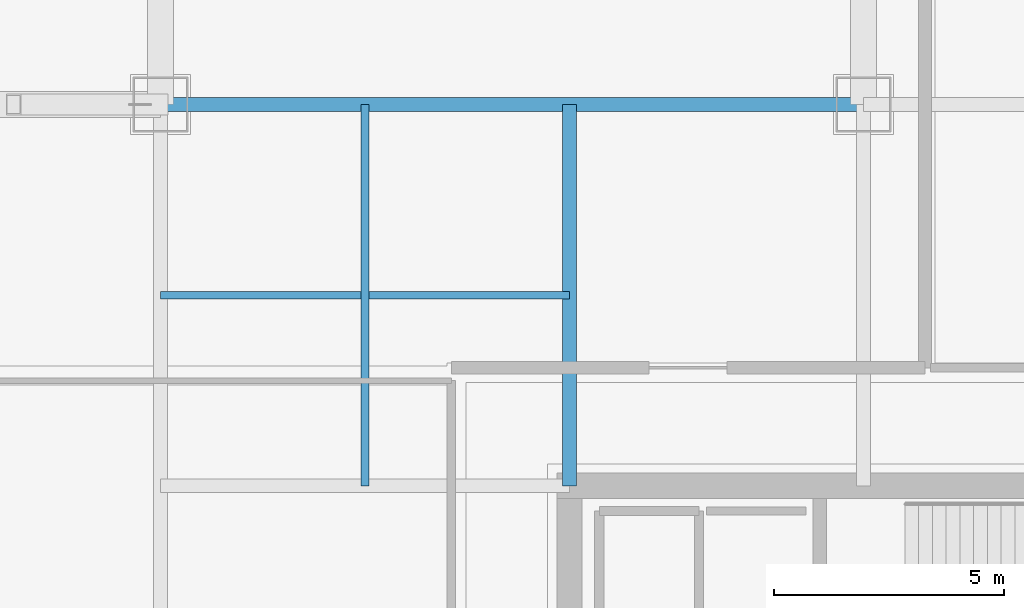
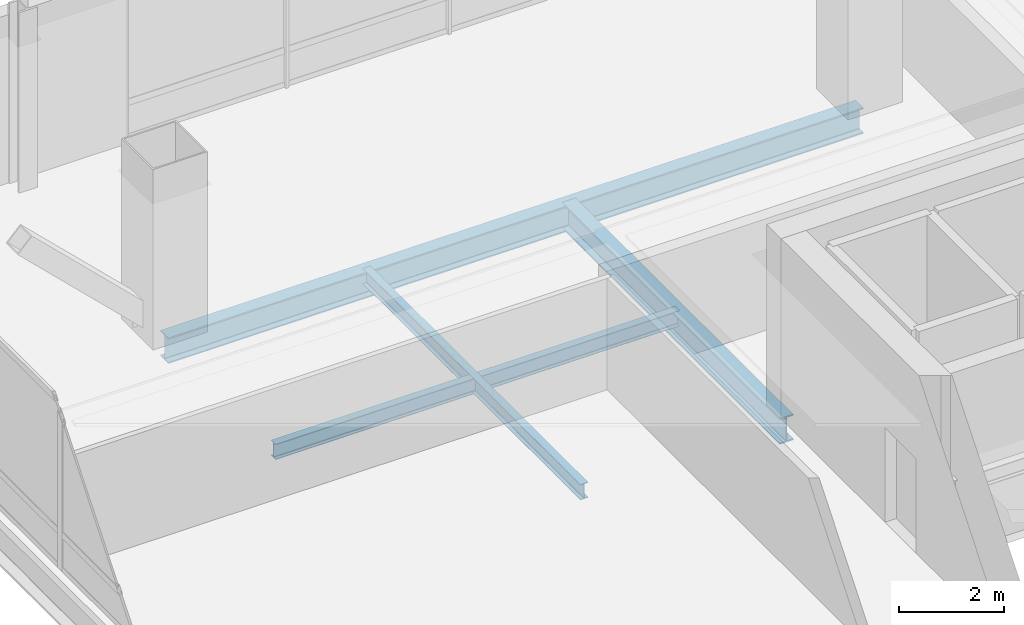
# One storey, part 21 of 51: 4 beams.
"""IFC4 building model written with IfcOpenShell, lengths in metres."""

import ifcopenshell
import ifcopenshell.guid

model = None  # the IFC model being written
_history = None  # IfcOwnerHistory: only IFC2X3 demands one
_inside = {}  # id of a spatial element -> (the spatial element, [elements in it])
_under = {}  # id of a project, library or spatial element -> (it, [spatial elements below it])
_declared = {}  # id of a project -> (the project, [libraries it declares])
_typed = {}  # id of a type object -> (the type object, [elements of that type])
_made_of = {}  # id of a material, layer set ... -> (it, [elements and type objects made of it])


def new_model(schema):
    """Start an empty IFC model of exactly this schema.

    Asked for "IFC4X3", IfcOpenShell would pick the latest addendum, in which some entities
    have other attributes; the version numbers below select the first issue.
    IFC2X3 requires an IfcOwnerHistory on every rooted entity: one is made here for all.
    """
    global model, _history
    if schema == "IFC4X3":
        model = ifcopenshell.file(schema_version=(4, 3, 0, 0))
    else:
        model = ifcopenshell.file(schema=schema)
    _inside.clear()
    _under.clear()
    _declared.clear()
    _typed.clear()
    _made_of.clear()
    _history = None
    if model.schema == "IFC2X3":
        org = make("IfcOrganization", Name="unknown")
        user = make(
            "IfcPersonAndOrganization",
            ThePerson=make("IfcPerson", FamilyName="unknown"),
            TheOrganization=org,
        )
        app = make(
            "IfcApplication",
            ApplicationDeveloper=org,
            Version="unknown",
            ApplicationFullName="unknown",
            ApplicationIdentifier="unknown",
        )
        _history = make(
            "IfcOwnerHistory",
            OwningUser=user,
            OwningApplication=app,
            ChangeAction="ADDED",
            CreationDate=0,
        )
    return model


def make(cls, **values):
    """One entity of the class cls with the attributes given. An attribute that is None is left unset."""
    return model.create_entity(
        cls, **{name: value for name, value in values.items() if value is not None}
    )


def rooted(cls, **values):
    """An entity with a GlobalId (a new one), such as an element, a storey or a relation."""
    return make(cls, GlobalId=ifcopenshell.guid.new(), OwnerHistory=_history, **values)


def si_unit(unit_type, name, prefix=None):
    """IfcSIUnit, for example si_unit("LENGTHUNIT", "METRE", prefix="MILLI")."""
    return make("IfcSIUnit", UnitType=unit_type, Prefix=prefix, Name=name)


def assignment(units):
    """IfcUnitAssignment: the units of a project."""
    return None if units is None else make("IfcUnitAssignment", Units=units)


def point(xyz):
    """IfcCartesianPoint."""
    return None if xyz is None else make("IfcCartesianPoint", Coordinates=xyz)


def direction(xyz):
    """IfcDirection."""
    return None if xyz is None else make("IfcDirection", DirectionRatios=xyz)


def frame(location, z_axis=None, x_axis=None):
    """IfcAxis2Placement3D, a coordinate frame: its origin and axes. An axis left out is left unset."""
    return make(
        "IfcAxis2Placement3D",
        Location=point(location),
        Axis=direction(z_axis),
        RefDirection=direction(x_axis),
    )


def frame_2d(location, x_axis=None):
    """IfcAxis2Placement2D, a coordinate frame in the plane: its origin and x axis."""
    return make(
        "IfcAxis2Placement2D", Location=point(location), RefDirection=direction(x_axis)
    )


def origin():
    """The frame at (0, 0, 0) with its axes left unset."""
    return frame((0.0, 0.0, 0.0))


def origin_2d():
    """The frame at (0, 0) in the plane with its x axis left unset."""
    return frame_2d((0.0, 0.0))


def place(relative_to, where):
    """IfcLocalPlacement: puts the frame where relative to a parent placement (None: the world)."""
    return make(
        "IfcLocalPlacement", PlacementRelTo=relative_to, RelativePlacement=where
    )


def context(
    kind, dimensions, precision=None, world=None, true_north=None, identifier=None
):
    """IfcGeometricRepresentationContext, for example the 3D "Model" context."""
    return make(
        "IfcGeometricRepresentationContext",
        ContextIdentifier=identifier,
        ContextType=kind,
        CoordinateSpaceDimension=dimensions,
        Precision=precision,
        WorldCoordinateSystem=world,
        TrueNorth=true_north,
    )


def subcontext(parent, identifier, kind, view, scale=None):
    """IfcGeometricRepresentationSubContext, for example "Body" below "Model"."""
    return make(
        "IfcGeometricRepresentationSubContext",
        ContextIdentifier=identifier,
        ContextType=kind,
        ParentContext=parent,
        TargetScale=scale,
        TargetView=view,
    )


def project(units=None, contexts=None):
    """IfcProject with its units and contexts."""
    return rooted(
        "IfcProject",
        Name="project",
        RepresentationContexts=contexts,
        UnitsInContext=assignment(units),
    )


def spatial(cls, under=None, at=None, **own):
    """A site, building, storey or space (cls), placed at a placement, below another one or the project."""
    s = rooted(cls, ObjectPlacement=at, **own)
    if under is not None:
        _under.setdefault(under.id(), (under, []))[1].append(s)
    return s


def profile(cls, at=None, kind="AREA", **sizes):
    """A parametric profile (cls). Its sizes go by their IFC names, for example OverallWidth=200.0."""
    return make(cls, ProfileType=kind, Position=at, **sizes)


def i_section(**sizes):
    """IfcIShapeProfileDef."""
    return profile("IfcIShapeProfileDef", **sizes)


def extrude(swept, where, along, depth):
    """IfcExtrudedAreaSolid: the profile swept, set in the frame where, extruded along a direction by depth."""
    return make(
        "IfcExtrudedAreaSolid",
        SweptArea=swept,
        Position=where,
        ExtrudedDirection=direction(along),
        Depth=depth,
    )


def shape(context_of_items, identifier, shape_type, items):
    """IfcShapeRepresentation: the items that make up one representation, for example the "Body"."""
    return make(
        "IfcShapeRepresentation",
        ContextOfItems=context_of_items,
        RepresentationIdentifier=identifier,
        RepresentationType=shape_type,
        Items=items,
    )


def material(Name=None, Category=None):
    """IfcMaterial."""
    return make("IfcMaterial", Name=Name, Category=Category)


def material_profile(
    of_material, cross_section, Name=None, Category=None, Priority=None
):
    """IfcMaterialProfile: a cross section and its material."""
    return make(
        "IfcMaterialProfile",
        Name=Name,
        Material=of_material,
        Profile=cross_section,
        Priority=Priority,
        Category=Category,
    )


def profile_set(profiles, Name=None, composite=None):
    """IfcMaterialProfileSet."""
    return make(
        "IfcMaterialProfileSet",
        Name=Name,
        MaterialProfiles=profiles,
        CompositeProfile=composite,
    )


def made_of(thing, what):
    """Note that an element or type object is made of a material, layer set ...; save() writes the relation."""
    if what is not None:
        _made_of.setdefault(what.id(), (what, []))[1].append(thing)
    return thing


def type_object(cls, material=None, **own):
    """A type object (cls), such as IfcWallType, which elements share."""
    return made_of(rooted(cls, **own), material)


def element(
    cls,
    number,
    at=None,
    inside=None,
    cuts=None,
    type_object=None,
    material=None,
    context=None,
    identifier="Body",
    shape_type=None,
    held_by="IfcProductDefinitionShape",
    body=None,
    shapes=None,
    **own,
):
    """One element of the class cls, such as IfcWall. Its Tag is "e" and its number.

    at: its placement. inside: the storey or other place that contains it. cuts: it is an
    opening in that element (IfcRelVoidsElement). A single representation is given by context,
    identifier, shape_type and body (its items); several are given by shapes. held_by: the class
    of the entity that holds the representations. save() writes the other relations.
    """
    e = rooted(cls, Tag="e%d" % number, ObjectPlacement=at, **own)
    if body is not None:
        shapes = [shape(context, identifier, shape_type, body)]
    if shapes is not None:
        e.Representation = make(held_by, Representations=shapes)
    if inside is not None:
        _inside.setdefault(inside.id(), (inside, []))[1].append(e)
    if cuts is not None:
        rooted(
            "IfcRelVoidsElement", RelatingBuildingElement=cuts, RelatedOpeningElement=e
        )
    if type_object is not None:
        _typed.setdefault(type_object.id(), (type_object, []))[1].append(e)
    return made_of(e, material)


def aggregate(whole, parts):
    """IfcRelAggregates: a whole, such as a stair, and the parts it consists of."""
    return rooted("IfcRelAggregates", RelatingObject=whole, RelatedObjects=parts)


def save(model, path):
    """Write the relations noted so far, then the file.

    IfcRelAggregates (storeys below a building ...), IfcRelContainedInSpatialStructure (elements
    in a storey), IfcRelDefinesByType, IfcRelAssociatesMaterial and IfcRelDeclares: one each for
    every whole, place, type object, material and project.
    """
    for whole, parts in _under.values():
        aggregate(whole, parts)
    for where, things in _inside.values():
        rooted(
            "IfcRelContainedInSpatialStructure",
            RelatedElements=things,
            RelatingStructure=where,
        )
    for kind, things in _typed.values():
        rooted("IfcRelDefinesByType", RelatedObjects=things, RelatingType=kind)
    for what, things in _made_of.values():
        rooted("IfcRelAssociatesMaterial", RelatedObjects=things, RelatingMaterial=what)
    for by, libraries in _declared.values():
        rooted("IfcRelDeclares", RelatingContext=by, RelatedDefinitions=libraries)
    model.write(path)


model = new_model("IFC4")

# Units and contexts
model_context = context("Model", 3, precision=1e-05, world=origin(), true_north=direction((0.0, 1.0)))
body_context = subcontext(model_context, "Body", "Model", "MODEL_VIEW")
ifc_project = project(units=[si_unit("LENGTHUNIT", "METRE"), si_unit("AREAUNIT", "SQUARE_METRE"), si_unit("VOLUMEUNIT", "CUBIC_METRE"), si_unit("PLANEANGLEUNIT", "RADIAN"), si_unit("MASSUNIT", "GRAM", prefix="KILO")], contexts=[model_context])

# Site, building, storey
site_placement = place(None, origin())
site = spatial("IfcSite", under=ifc_project, at=site_placement, CompositionType="ELEMENT")
building_placement = place(site_placement, origin())
building = spatial("IfcBuilding", under=site, at=building_placement, Name="Punatoya Terracotta Tower", CompositionType="ELEMENT")
storey_placement = place(building_placement, frame((0.0, 0.0, 313.199951171875)))
storey = spatial("IfcBuildingStorey", under=building, at=storey_placement, Name="L74", CompositionType="ELEMENT", Elevation=313.199951171875)

# Beams
ifc_material = material(Name="Steel S355", Category="steel")
ifc_material_profile_1 = material_profile(ifc_material, i_section(OverallWidth=0.300048828125, OverallDepth=0.60009765625, WebThickness=0.015380859375, FlangeThickness=0.030029296875, FilletRadius=0.01806640625, at=origin_2d()))
ifc_profile_set_1 = profile_set([ifc_material_profile_1], Name="Steel S355")
beam_type_1 = type_object("IfcBeamType", Name="BM-PRI-600", PredefinedType="BEAM", material=ifc_profile_set_1)
beam_1_placement = place(storey_placement, frame((-19.10009765625, 17.5, -0.5), z_axis=(1.0, 0.0, 0.0), x_axis=(0.0, 1.0, 0.0)))
element("IfcBeam", 1, at=beam_1_placement, inside=storey, type_object=beam_type_1, Name="BM-L74-RG-N1", PredefinedType="BEAM", context=body_context, shape_type="SweptSolid", body=[
    extrude(i_section(OverallWidth=0.300048828125, OverallDepth=0.60009765625, WebThickness=0.015380859375, FlangeThickness=0.030029296875, FilletRadius=0.01806640625, at=origin_2d()), origin(), (0.0, 0.0, 1.0), 15.300048828125),
])
beam_2_placement = place(storey_placement, frame((-10.199951171875, 9.199951171875, -0.5), z_axis=(0.0, 1.0, 0.0), x_axis=(-1.0, 0.0, 0.0)))
element("IfcBeam", 2, at=beam_2_placement, inside=storey, type_object=beam_type_1, Name="BM-L74-PR-N1", PredefinedType="BEAM", context=body_context, shape_type="SweptSolid", body=[
    extrude(i_section(OverallWidth=0.300048828125, OverallDepth=0.60009765625, WebThickness=0.015380859375, FlangeThickness=0.030029296875, FilletRadius=0.01806640625, at=origin_2d()), origin(), (0.0, 0.0, 1.0), 8.300048828125),
])
ifc_material_profile_2 = material_profile(ifc_material, i_section(OverallWidth=0.169921875, OverallDepth=0.360107421875, WebThickness=0.008056640625, FlangeThickness=0.0126953125, FilletRadius=0.01806640625, at=origin_2d()))
ifc_profile_set_2 = profile_set([ifc_material_profile_2], Name="Steel S355")
beam_type_2 = type_object("IfcBeamType", Name="BM-SEC-360", PredefinedType="JOIST", material=ifc_profile_set_2)
beam_3_placement = place(storey_placement, frame((-19.10009765625, 13.35009765625, -0.3798828125), z_axis=(1.0, 0.0, 0.0), x_axis=(0.0, 1.0, 0.0)))
element("IfcBeam", 3, at=beam_3_placement, inside=storey, type_object=beam_type_2, Name="BM-L74-SJN-1", PredefinedType="JOIST", context=body_context, shape_type="SweptSolid", body=[
    extrude(i_section(OverallWidth=0.169921875, OverallDepth=0.360107421875, WebThickness=0.008056640625, FlangeThickness=0.0126953125, FilletRadius=0.01806640625, at=origin_2d()), origin(), (0.0, 0.0, 1.0), 8.900146484375),
])
beam_4_placement = place(storey_placement, frame((-14.64990234375, 9.199951171875, -0.3798828125), z_axis=(0.0, 1.0, 0.0), x_axis=(-1.0, 0.0, 0.0)))
element("IfcBeam", 4, at=beam_4_placement, inside=storey, type_object=beam_type_2, Name="BM-L74-SJW-2", PredefinedType="JOIST", context=body_context, shape_type="SweptSolid", body=[
    extrude(i_section(OverallWidth=0.169921875, OverallDepth=0.360107421875, WebThickness=0.008056640625, FlangeThickness=0.0126953125, FilletRadius=0.01806640625, at=origin_2d()), origin(), (0.0, 0.0, 1.0), 8.300048828125),
])

save(model, "model.ifc")
